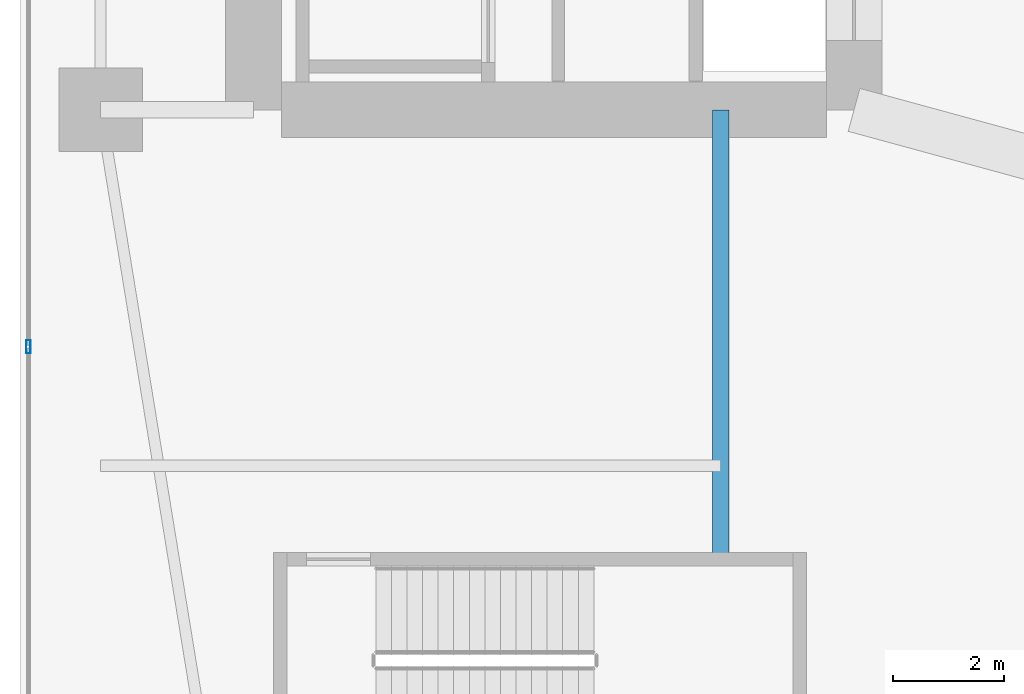
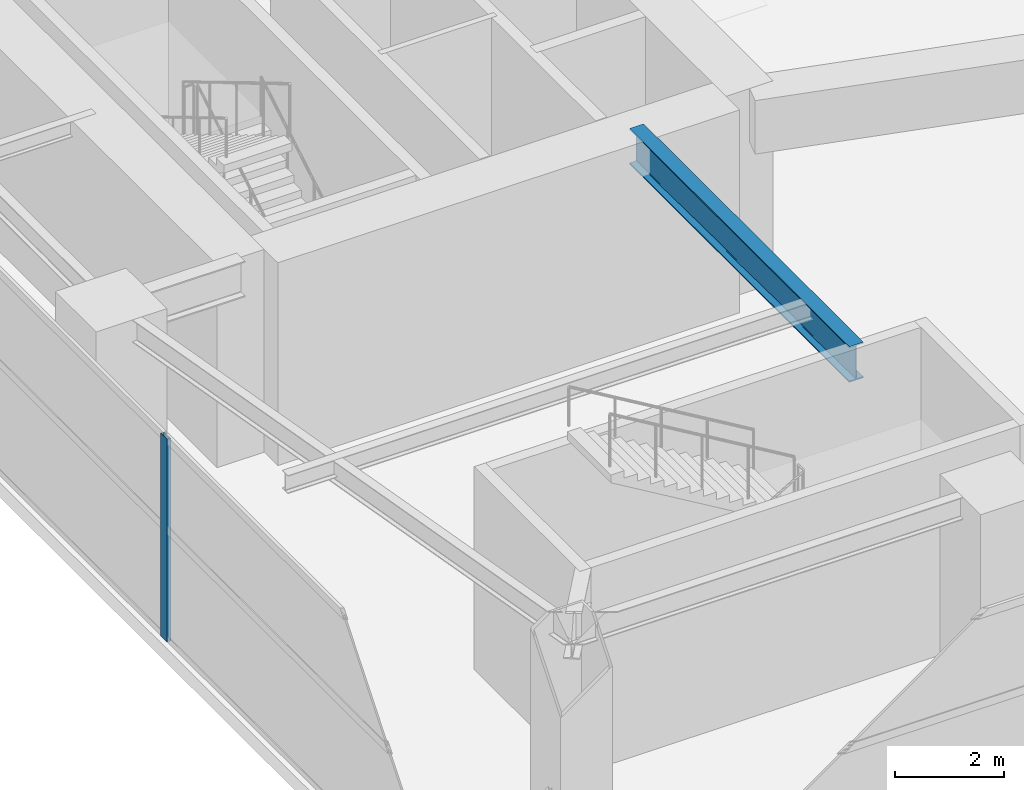
# One storey, part 6 of 30: 1 beam, 1 member, 1 element without a shape of its own.
"""IFC4 building model written with IfcOpenShell, lengths in metres."""

from ifc_helpers import new_model, si_unit, direction, frame, origin, origin_2d, place, context, subcontext, project, spatial, hollow_rectangle, i_section, extrude, material, layer, layer_set, material_profile, profile_set, type_object, element, aggregate, save


model = new_model("IFC4")

# Units and contexts
model_context = context("Model", 3, precision=1e-05, world=origin(), true_north=direction((0.0, 1.0)))
body_context = subcontext(model_context, "Body", "Model", "MODEL_VIEW")
ifc_project = project(units=[si_unit("LENGTHUNIT", "METRE"), si_unit("AREAUNIT", "SQUARE_METRE"), si_unit("VOLUMEUNIT", "CUBIC_METRE"), si_unit("PLANEANGLEUNIT", "RADIAN"), si_unit("MASSUNIT", "GRAM", prefix="KILO")], contexts=[model_context])

# Site, building, storey
site_placement = place(None, origin())
site = spatial("IfcSite", under=ifc_project, at=site_placement, CompositionType="ELEMENT")
building_placement = place(site_placement, origin())
building = spatial("IfcBuilding", under=site, at=building_placement, Name="Calvorn Quay Hotel", CompositionType="ELEMENT")
storey_placement = place(building_placement, frame((0.0, 0.0, 17.0)))
storey = spatial("IfcBuildingStorey", under=building, at=storey_placement, Name="L03", CompositionType="ELEMENT", Elevation=17.0)

# Beam
ifc_material_1 = material(Name="Steel Q390GJC", Category="steel")
ifc_material_profile_1 = material_profile(ifc_material_1, i_section(OverallWidth=0.300048828125, OverallDepth=0.800048828125, WebThickness=0.013916015625, FlangeThickness=0.02587890625, FilletRadius=0.02392578125, at=origin_2d()), Name="HN800x300x14x26")
ifc_profile_set_1 = profile_set([ifc_material_profile_1], Name="Steel Q390GJC")
beam_type = type_object("IfcBeamType", Name="BM-GIRD-POD", PredefinedType="BEAM", material=ifc_profile_set_1)
beam_placement = place(storey_placement, frame((12.60009765625, 8.719970703125, 4.14990234375), z_axis=(0.0, 1.0, 0.0), x_axis=(-1.0, 0.0, 0.0)))
element("IfcBeam", 1, at=beam_placement, inside=storey, type_object=beam_type, Name="Beam BG-L03-S1", PredefinedType="BEAM", context=body_context, shape_type="SweptSolid", body=[
    extrude(i_section(OverallWidth=0.300048828125, OverallDepth=0.800048828125, WebThickness=0.013916015625, FlangeThickness=0.02587890625, FilletRadius=0.02392578125, at=origin_2d()), origin(), (0.0, 0.0, 1.0), 8.080078125),
])

# Curtain wall, member
ifc_material_2 = material(Name="Pale Anodised Aluminium and Low-E Glass", Category="aluminium")
ifc_layer = layer(ifc_material_2, 0.219970703125)
ifc_layer_set = layer_set([ifc_layer], Name="CW-SYS-POD")
curtain_wall_type = type_object("IfcCurtainWallType", Name="CW-SYS-POD", PredefinedType="NOTDEFINED", material=ifc_layer_set)
curtain_wall_placement = place(storey_placement, origin())
curtain_wall = element("IfcCurtainWall", 2, at=curtain_wall_placement, inside=storey, type_object=curtain_wall_type, Name="Podium Curtain Wall L03-W1", PredefinedType="NOTDEFINED")
ifc_material_3 = material(Name="Pale Anodised Aluminium 6063-T6", Category="aluminium")
ifc_material_profile_2 = material_profile(ifc_material_3, hollow_rectangle(XDim=0.080078125, YDim=0.239990234375, WallThickness=0.0048828125, at=origin_2d()), Name="ALU-M240x80x5")
ifc_profile_set_2 = profile_set([ifc_material_profile_2], Name="Pale Anodised Aluminium 6063-T6")
member_type = type_object("IfcMemberType", Name="CW-SYS-POD-MUL", PredefinedType="MULLION", material=ifc_profile_set_2)
member_placement = place(storey_placement, frame((0.14990234375, 12.5400390625, 0.0), z_axis=(0.0, 0.0, 1.0), x_axis=(-1.0, 0.0, 0.0)))
member = element("IfcMember", 3, at=member_placement, type_object=member_type, Name="CW-L03-W1 mullion 2", PredefinedType="MULLION", context=body_context, shape_type="SweptSolid", body=[
    extrude(hollow_rectangle(XDim=0.080078125, YDim=0.239990234375, WallThickness=0.0048828125, at=origin_2d()), origin(), (0.0, 0.0, 1.0), 4.550048828125),
])
aggregate(curtain_wall, [member])

save(model, "model.ifc")
